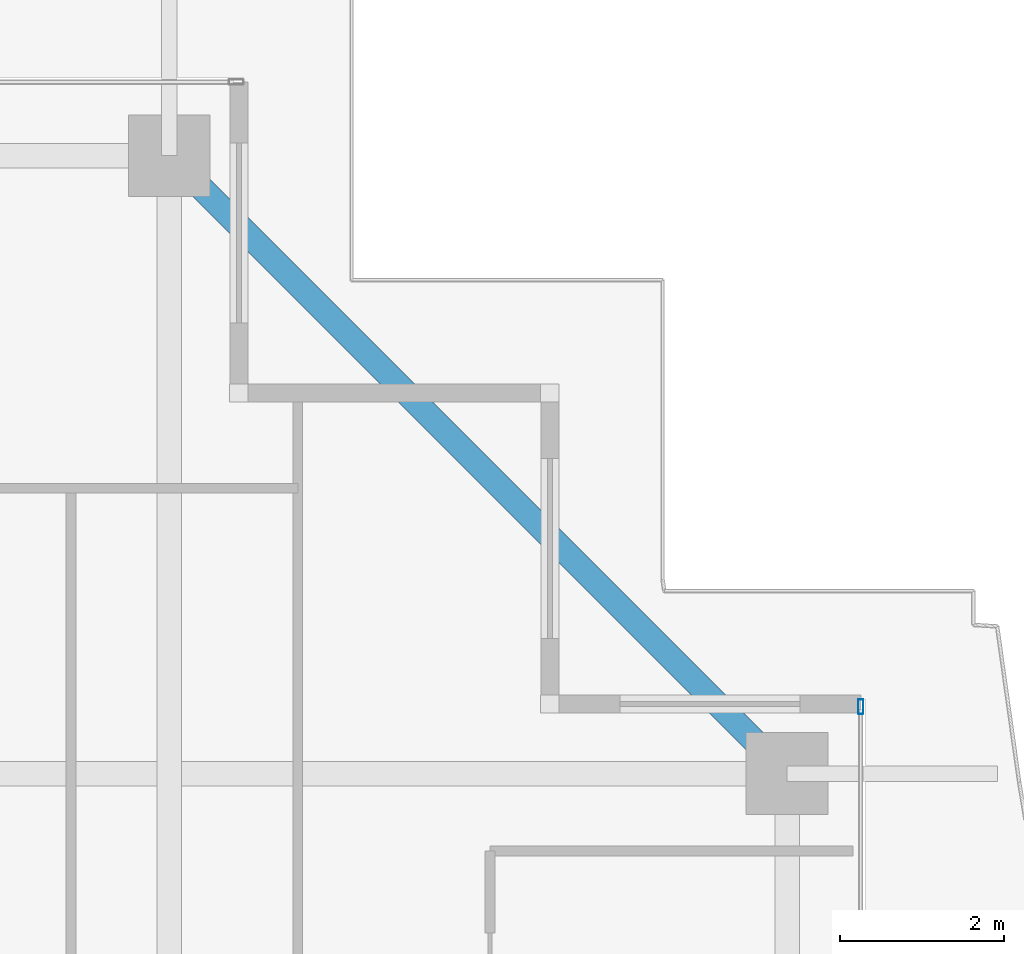
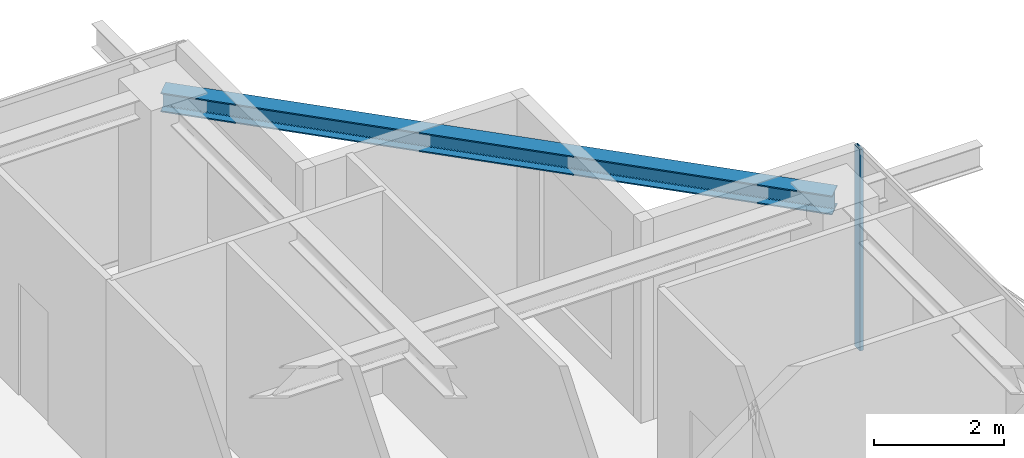
# One storey, part 28 of 42: 1 beam, 1 member, 1 element without a shape of its own.
"""IFC4 building model written with IfcOpenShell, lengths in metres."""

from ifc_helpers import new_model, si_unit, direction, frame, origin, origin_2d, place, context, subcontext, project, spatial, hollow_rectangle, i_section, extrude, source, transform, mapped, material, layer, layer_set, material_profile, profile_set, type_object, element, aggregate, save


model = new_model("IFC4")

# Units and contexts
model_context = context("Model", 3, precision=1e-05, world=origin(), true_north=direction((0.0, 1.0)))
body_context = subcontext(model_context, "Body", "Model", "MODEL_VIEW")
ifc_project = project(units=[si_unit("LENGTHUNIT", "METRE"), si_unit("AREAUNIT", "SQUARE_METRE"), si_unit("VOLUMEUNIT", "CUBIC_METRE"), si_unit("PLANEANGLEUNIT", "RADIAN"), si_unit("MASSUNIT", "GRAM", prefix="KILO")], contexts=[model_context])

# Site, building, storey
site_placement = place(None, origin())
site = spatial("IfcSite", under=ifc_project, at=site_placement, CompositionType="ELEMENT")
building_placement = place(site_placement, origin())
building = spatial("IfcBuilding", under=site, at=building_placement, Name="Serunith Strait Residences", CompositionType="ELEMENT")
storey_placement = place(building_placement, frame((0.0, 0.0, 293.449951171875)))
storey = spatial("IfcBuildingStorey", under=building, at=storey_placement, Name="L73", CompositionType="ELEMENT", Elevation=293.449951171875)

# Beam
ifc_material_1 = material(Name="Steel S355J2", Category="steel")
ifc_material_profile_1 = material_profile(ifc_material_1, i_section(OverallWidth=0.300048828125, OverallDepth=0.360107421875, WebThickness=0.012451171875, FlangeThickness=0.0224609375, FilletRadius=0.027099609375, at=origin_2d()), Name="HEB 360")
ifc_profile_set_1 = profile_set([ifc_material_profile_1], Name="Steel S355J2")
beam_type = type_object("IfcBeamType", Name="BM-HEB360", PredefinedType="BEAM", material=ifc_profile_set_1)
shared_shape_1 = source(origin(), body_context, "Body", "SweptSolid", [
    extrude(i_section(OverallWidth=0.300048828125, OverallDepth=0.360107421875, WebThickness=0.012451171875, FlangeThickness=0.0224609375, FilletRadius=0.027099609375, at=origin_2d()), origin(), (0.0, 0.0, 1.0), 10.677490234375),
])
beam_placement = place(storey_placement, frame((54.699951171875, 39.550048828125, 3.5771484375), z_axis=(-0.707106781187, 0.707106781187, 0.0), x_axis=(-0.707106781187, -0.707106781187, 0.0)))
element("IfcBeam", 1, at=beam_placement, inside=storey, type_object=beam_type, Name="L73 Perimeter Ring Beam 08", PredefinedType="BEAM", context=body_context, shape_type="MappedRepresentation", body=[
    mapped(shared_shape_1, transform((0.0, 0.0, 0.0), scale=1.0)),
])

# Curtain wall, member
ifc_material_2 = material(Name="Brushed Stainless-Silver Aluminium", Category="aluminium")
ifc_layer = layer(ifc_material_2, 0.199951171875, Name="Brushed Stainless-Silver Aluminium")
ifc_layer_set = layer_set([ifc_layer], Name="Brushed Stainless-Silver Aluminium")
curtain_wall_type = type_object("IfcCurtainWallType", Name="CW-SYS5", PredefinedType="NOTDEFINED", material=ifc_layer_set)
curtain_wall_placement = place(storey_placement, origin())
curtain_wall = element("IfcCurtainWall", 2, at=curtain_wall_placement, inside=storey, type_object=curtain_wall_type, Name="L73 E Unitised Fritted Curtain Wall", PredefinedType="NOTDEFINED")
ifc_material_profile_2 = material_profile(ifc_material_2, hollow_rectangle(XDim=0.06494140625, YDim=0.179931640625, WallThickness=0.00341796875, InnerFilletRadius=0.00537109375, OuterFilletRadius=0.0087890625, at=origin_2d()), Name="ALU 180x65x3.5")
ifc_profile_set_2 = profile_set([ifc_material_profile_2], Name="Brushed Stainless-Silver Aluminium")
member_type = type_object("IfcMemberType", Name="CW-SYS5-MULL", PredefinedType="MULLION", material=ifc_profile_set_2)
shared_shape_2 = source(origin(), body_context, "Body", "SweptSolid", [
    extrude(hollow_rectangle(XDim=0.06494140625, YDim=0.179931640625, WallThickness=0.00341796875, InnerFilletRadius=0.00537109375, OuterFilletRadius=0.0087890625, at=origin_2d()), origin(), (0.0, 0.0, 1.0), 3.775146484375),
])
member_placement = place(storey_placement, frame((55.60009765625, 40.367431640625, 0.0), z_axis=(0.0, 0.0, 1.0), x_axis=(-1.0, 0.0, 0.0)))
member = element("IfcMember", 3, at=member_placement, type_object=member_type, Name="CW-5 mullion 3", PredefinedType="MULLION", context=body_context, shape_type="MappedRepresentation", body=[
    mapped(shared_shape_2, transform((0.0, 0.0, 0.0), scale=1.0)),
])
aggregate(curtain_wall, [member])

save(model, "model.ifc")
